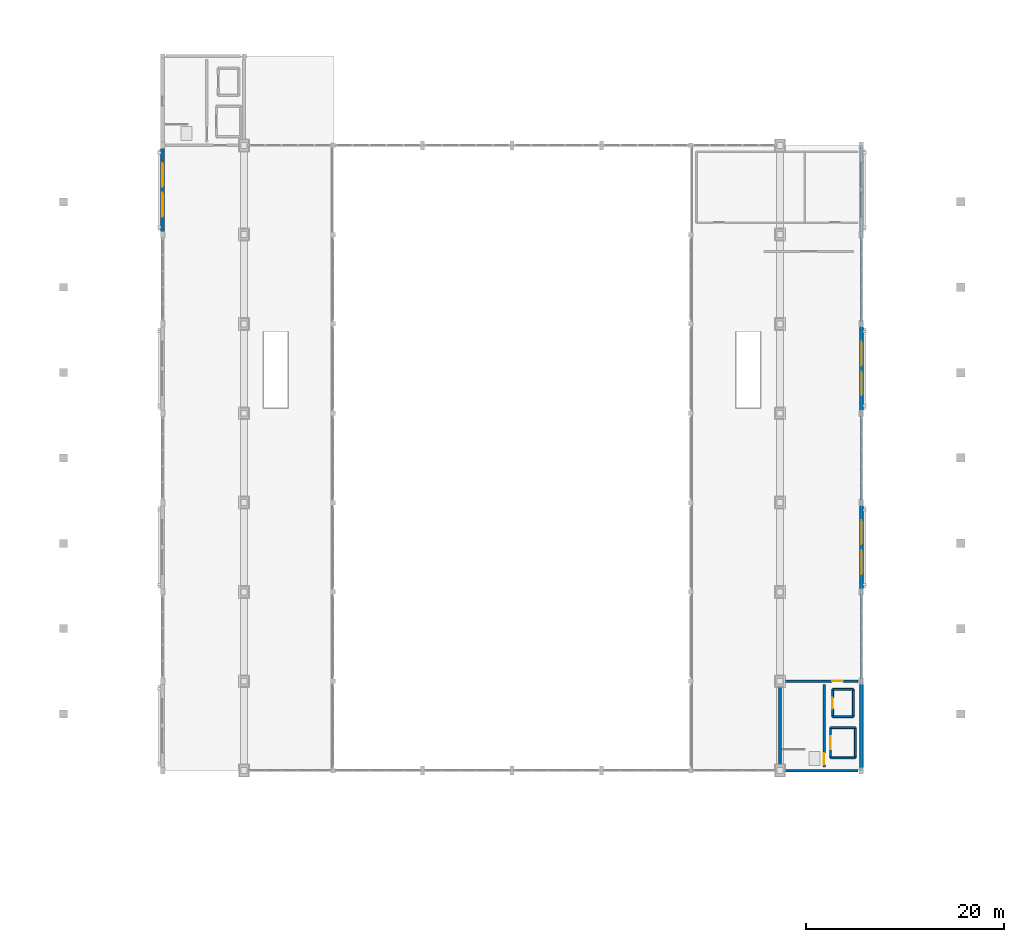
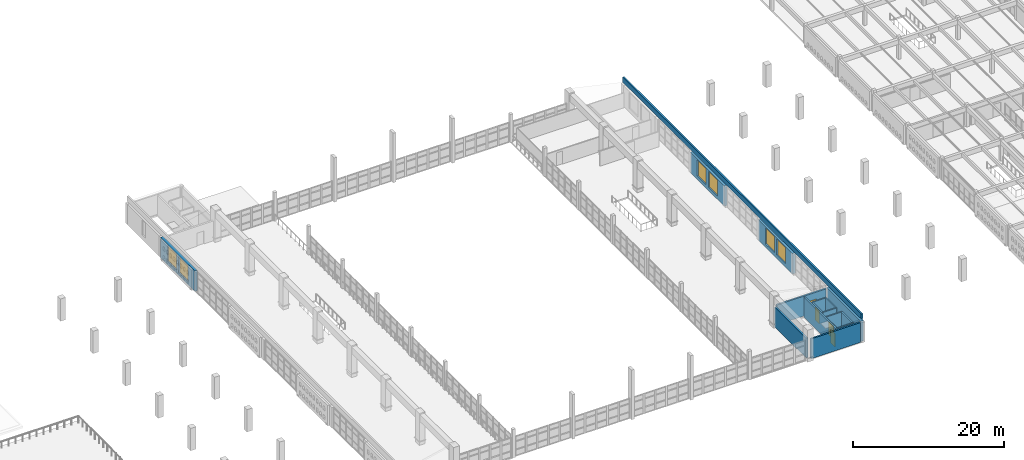
# One storey, part 66 of 80: 17 walls, 6 windows, 4 doors, 10 openings.
"""IFC4 building model written with IfcOpenShell, lengths in metres."""

from ifc_helpers import new_model, si_unit, direction, frame, frame_2d, origin, place, context, subcontext, project, spatial, rectangle, extrude, material, layer, layer_set, type_object, element, fill, save


model = new_model("IFC4")

# Units and contexts
model_context = context("Model", 3, precision=1e-05, world=origin(), true_north=direction((0.0, 1.0)))
body_context = subcontext(model_context, "Body", "Model", "MODEL_VIEW")
ifc_project = project(units=[si_unit("LENGTHUNIT", "METRE"), si_unit("AREAUNIT", "SQUARE_METRE"), si_unit("VOLUMEUNIT", "CUBIC_METRE"), si_unit("PLANEANGLEUNIT", "RADIAN"), si_unit("MASSUNIT", "GRAM", prefix="KILO")], contexts=[model_context])

# Site, building, storey
site_placement = place(None, origin())
site = spatial("IfcSite", under=ifc_project, at=site_placement, CompositionType="ELEMENT")
building_placement = place(site_placement, origin())
building = spatial("IfcBuilding", under=site, at=building_placement, Name="Ornek Quay Market", CompositionType="ELEMENT")
storey_placement = place(building_placement, frame((0.0, 0.0, 8.39990234375)))
storey = spatial("IfcBuildingStorey", under=building, at=storey_placement, Name="L02", CompositionType="ELEMENT", Elevation=8.39990234375)

# Wall, opening, door
ifc_material_1 = material(Name="Concrete C40/50", Category="concrete")
ifc_layer_1 = layer(ifc_material_1, 0.260009765625, Name="Concrete C40/50", Category="concrete")
ifc_layer_set_1 = layer_set([ifc_layer_1], Name="Concrete C40/50")
wall_type_1 = type_object("IfcWallType", Name="WL-CORE-260", PredefinedType="SHEAR", material=ifc_layer_set_1)
wall_1_placement = place(storey_placement, frame((121.449951171875, 29.35009765625, 0.0), z_axis=(0.0, 0.0, 1.0), x_axis=(0.0, 1.0, 0.0)))
wall_1 = element("IfcWall", 1, at=wall_1_placement, inside=storey, type_object=wall_type_1, Name="Interior wall W-CORE2-110", PredefinedType="SHEAR", context=body_context, shape_type="SweptSolid", body=[
    extrude(rectangle(XDim=8.2998046875, YDim=0.260009765625, at=frame_2d((4.14990234375, 0.0))), origin(), (0.0, 0.0, 1.0), 3.2001953125),
])
opening_1_placement = place(wall_1_placement, frame((0.25, 0.0, 0.0)))
opening_1 = element("IfcOpeningElement", 2, at=opening_1_placement, cuts=wall_1, Name="Opening FD-03-042", PredefinedType="OPENING", context=body_context, shape_type="SweptSolid", body=[
    extrude(rectangle(XDim=1.14990234375, YDim=2.14990234375, at=frame_2d((0.574951171875, 1.074951171875))), frame((0.0, 0.139892578125, 0.0), z_axis=(0.0, -1.0, 0.0), x_axis=(1.0, 0.0, 0.0)), (0.0, 0.0, 1.0), 0.280029296875),
])
ifc_material_2 = material(Name="Insulated fire-rated painted steel", Category="steel")
door_type_1 = type_object("IfcDoorType", Name="DR-FIRE-STAIR-1150x2150", OperationType="NOTDEFINED", PredefinedType="DOOR", material=ifc_material_2)
door_1_placement = place(opening_1_placement, origin())
door_1 = element("IfcDoor", 3, at=door_1_placement, inside=storey, type_object=door_type_1, Name="Interior door FD-03-042", OperationType="SINGLE_SWING_LEFT", OverallHeight=2.14990234375, OverallWidth=1.14990234375, PredefinedType="DOOR", context=body_context, shape_type="SweptSolid", body=[
    extrude(rectangle(XDim=1.14990234375, YDim=2.14990234375, at=frame_2d((0.574951171875, 1.074951171875))), frame((0.0, 0.02490234375, 0.0), z_axis=(0.0, -1.0, 0.0), x_axis=(1.0, 0.0, 0.0)), (0.0, 0.0, 1.0), 0.050048828125),
])
fill(opening_1, door_1)

# Walls
wall_2_placement = place(storey_placement, frame((117.0, 29.35009765625, 0.0), z_axis=(0.0, 0.0, 1.0), x_axis=(0.0, 1.0, 0.0)))
element("IfcWall", 4, at=wall_2_placement, inside=storey, type_object=wall_type_1, Name="Interior wall W-CORE2-111", PredefinedType="SHEAR", context=body_context, shape_type="SweptSolid", body=[
    extrude(rectangle(XDim=8.2998046875, YDim=0.260009765625, at=frame_2d((4.14990234375, 0.0))), origin(), (0.0, 0.0, 1.0), 3.2001953125),
])
wall_3_placement = place(storey_placement, frame((117.35009765625, 29.0, 0.0), z_axis=(0.0, 0.0, 1.0), x_axis=(1.0, 0.0, 0.0)))
element("IfcWall", 5, at=wall_3_placement, inside=storey, type_object=wall_type_1, Name="Interior wall W-CORE2-112", PredefinedType="SHEAR", context=body_context, shape_type="SweptSolid", body=[
    extrude(rectangle(XDim=7.5, YDim=0.260009765625, at=frame_2d((3.75, 0.0))), origin(), (0.0, 0.0, 1.0), 3.2001953125),
])

# Wall, opening, door
wall_4_placement = place(storey_placement, frame((117.35009765625, 38.0, 0.0), z_axis=(0.0, 0.0, 1.0), x_axis=(1.0, 0.0, 0.0)))
wall_4 = element("IfcWall", 6, at=wall_4_placement, inside=storey, type_object=wall_type_1, Name="Interior wall W-CORE2-113", PredefinedType="SHEAR", context=body_context, shape_type="SweptSolid", body=[
    extrude(rectangle(XDim=7.5, YDim=0.260009765625, at=frame_2d((3.75, 0.0))), origin(), (0.0, 0.0, 1.0), 3.2001953125),
])
opening_2_placement = place(wall_4_placement, frame((4.89990234375, 0.0, 0.0)))
opening_2 = element("IfcOpeningElement", 7, at=opening_2_placement, cuts=wall_4, Name="Opening FD-04-043", PredefinedType="OPENING", context=body_context, shape_type="SweptSolid", body=[
    extrude(rectangle(XDim=1.10009765625, YDim=2.10009765625, at=frame_2d((0.550048828125, 1.050048828125))), frame((0.0, 0.139892578125, 0.0), z_axis=(0.0, -1.0, 0.0), x_axis=(1.0, 0.0, 0.0)), (0.0, 0.0, 1.0), 0.280029296875),
])
door_type_2 = type_object("IfcDoorType", Name="DR-FIRE-LOBBY-1100x2100", OperationType="NOTDEFINED", PredefinedType="DOOR", material=ifc_material_2)
door_2_placement = place(opening_2_placement, origin())
door_2 = element("IfcDoor", 8, at=door_2_placement, inside=storey, type_object=door_type_2, Name="Interior door FD-04-043", OperationType="SINGLE_SWING_RIGHT", OverallHeight=2.10009765625, OverallWidth=1.10009765625, PredefinedType="DOOR", context=body_context, shape_type="SweptSolid", body=[
    extrude(rectangle(XDim=1.10009765625, YDim=2.10009765625, at=frame_2d((0.550048828125, 1.050048828125))), frame((0.0, 0.02490234375, 0.0), z_axis=(0.0, -1.0, 0.0), x_axis=(1.0, 0.0, 0.0)), (0.0, 0.0, 1.0), 0.050048828125),
])
fill(opening_2, door_2)

# Wall, openings, windows
ifc_material_3 = material(Name="Frost-resistant facing clay brick M200 F100", Category="masonry")
ifc_layer_2 = layer(ifc_material_3, 0.419921875, Name="Frost-resistant facing clay brick M200 F100", Category="masonry")
ifc_layer_set_2 = layer_set([ifc_layer_2], Name="Frost-resistant facing clay brick M200 F100")
wall_type_2 = type_object("IfcWallType", Name="WL-EXT-HALL-420", PredefinedType="STANDARD", material=ifc_layer_set_2)
wall_5_placement = place(storey_placement, frame((54.800048828125, 83.0, 0.0), z_axis=(0.0, 0.0, 1.0), x_axis=(0.0, 1.0, 0.0)))
wall_5 = element("IfcWall", 9, at=wall_5_placement, inside=storey, type_object=wall_type_2, Name="Exterior wall EW-144", PredefinedType="STANDARD", context=body_context, shape_type="SweptSolid", body=[
    extrude(rectangle(XDim=9.0, YDim=0.419921875, at=frame_2d((4.5, 0.0))), origin(), (0.0, 0.0, 1.0), 3.2900390625),
])
opening_3_placement = place(wall_5_placement, frame((1.800048828125, 0.0, 0.510009765625)))
opening_3 = element("IfcOpeningElement", 10, at=opening_3_placement, cuts=wall_5, Name="Opening W-01-118", PredefinedType="OPENING", context=body_context, shape_type="SweptSolid", body=[
    extrude(rectangle(XDim=2.39990234375, YDim=2.60009765625, at=frame_2d((1.199951171875, 1.300048828125))), frame((0.0, 0.219970703125, 0.0), z_axis=(0.0, -1.0, 0.0), x_axis=(1.0, 0.0, 0.0)), (0.0, 0.0, 1.0), 0.43994140625),
])
opening_4_placement = place(wall_5_placement, frame((4.800048828125, 0.0, 0.510009765625)))
opening_4 = element("IfcOpeningElement", 11, at=opening_4_placement, cuts=wall_5, Name="Opening W-01-119", PredefinedType="OPENING", context=body_context, shape_type="SweptSolid", body=[
    extrude(rectangle(XDim=2.39990234375, YDim=2.60009765625, at=frame_2d((1.199951171875, 1.300048828125))), frame((0.0, 0.219970703125, 0.0), z_axis=(0.0, -1.0, 0.0), x_axis=(1.0, 0.0, 0.0)), (0.0, 0.0, 1.0), 0.43994140625),
])
ifc_material_4 = material(Name="Thermally broken bronze aluminium and triple low-e glass", Category="aluminium")
window_type = type_object("IfcWindowType", Name="WN-HALL-2400x2600", PartitioningType="DOUBLE_PANEL_VERTICAL", PredefinedType="WINDOW", material=ifc_material_4)
window_1_placement = place(opening_3_placement, origin())
window_1 = element("IfcWindow", 12, at=window_1_placement, inside=storey, type_object=window_type, Name="Window W-01-118", OverallHeight=2.60009765625, OverallWidth=2.39990234375, PartitioningType="SINGLE_PANEL", PredefinedType="WINDOW", context=body_context, shape_type="SweptSolid", body=[
    extrude(rectangle(XDim=2.39990234375, YDim=2.60009765625, at=frame_2d((1.199951171875, 1.300048828125))), frame((0.0, 0.030029296875, 0.0), z_axis=(0.0, -1.0, 0.0), x_axis=(1.0, 0.0, 0.0)), (0.0, 0.0, 1.0), 0.06005859375),
])
fill(opening_3, window_1)
window_2_placement = place(opening_4_placement, origin())
window_2 = element("IfcWindow", 13, at=window_2_placement, inside=storey, type_object=window_type, Name="Window W-01-119", OverallHeight=2.60009765625, OverallWidth=2.39990234375, PartitioningType="SINGLE_PANEL", PredefinedType="WINDOW", context=body_context, shape_type="SweptSolid", body=[
    extrude(rectangle(XDim=2.39990234375, YDim=2.60009765625, at=frame_2d((1.199951171875, 1.300048828125))), frame((0.0, 0.030029296875, 0.0), z_axis=(0.0, -1.0, 0.0), x_axis=(1.0, 0.0, 0.0)), (0.0, 0.0, 1.0), 0.06005859375),
])
fill(opening_4, window_2)

# Wall
wall_6_placement = place(storey_placement, frame((125.199951171875, 29.0, 0.0), z_axis=(0.0, 0.0, 1.0), x_axis=(0.0, 1.0, 0.0)))
element("IfcWall", 14, at=wall_6_placement, inside=storey, type_object=wall_type_2, Name="Exterior wall EW-145", PredefinedType="STANDARD", context=body_context, shape_type="SweptSolid", body=[
    extrude(rectangle(XDim=9.0, YDim=0.419921875, at=frame_2d((4.5, 0.0))), origin(), (0.0, 0.0, 1.0), 3.2900390625),
])

# Wall, openings, windows
wall_7_placement = place(storey_placement, frame((125.199951171875, 47.0, 0.0), z_axis=(0.0, 0.0, 1.0), x_axis=(0.0, 1.0, 0.0)))
wall_7 = element("IfcWall", 15, at=wall_7_placement, inside=storey, type_object=wall_type_2, Name="Exterior wall EW-146", PredefinedType="STANDARD", context=body_context, shape_type="SweptSolid", body=[
    extrude(rectangle(XDim=9.0, YDim=0.419921875, at=frame_2d((4.5, 0.0))), origin(), (0.0, 0.0, 1.0), 3.2900390625),
])
opening_5_placement = place(wall_7_placement, frame((1.800048828125, 0.0, 0.510009765625)))
opening_5 = element("IfcOpeningElement", 16, at=opening_5_placement, cuts=wall_7, Name="Opening W-01-120", PredefinedType="OPENING", context=body_context, shape_type="SweptSolid", body=[
    extrude(rectangle(XDim=2.39990234375, YDim=2.60009765625, at=frame_2d((1.199951171875, 1.300048828125))), frame((0.0, 0.219970703125, 0.0), z_axis=(0.0, -1.0, 0.0), x_axis=(1.0, 0.0, 0.0)), (0.0, 0.0, 1.0), 0.43994140625),
])
opening_6_placement = place(wall_7_placement, frame((4.800048828125, 0.0, 0.510009765625)))
opening_6 = element("IfcOpeningElement", 17, at=opening_6_placement, cuts=wall_7, Name="Opening W-01-121", PredefinedType="OPENING", context=body_context, shape_type="SweptSolid", body=[
    extrude(rectangle(XDim=2.39990234375, YDim=2.60009765625, at=frame_2d((1.199951171875, 1.300048828125))), frame((0.0, 0.219970703125, 0.0), z_axis=(0.0, -1.0, 0.0), x_axis=(1.0, 0.0, 0.0)), (0.0, 0.0, 1.0), 0.43994140625),
])
window_3_placement = place(opening_5_placement, origin())
window_3 = element("IfcWindow", 18, at=window_3_placement, inside=storey, type_object=window_type, Name="Window W-01-120", OverallHeight=2.60009765625, OverallWidth=2.39990234375, PartitioningType="SINGLE_PANEL", PredefinedType="WINDOW", context=body_context, shape_type="SweptSolid", body=[
    extrude(rectangle(XDim=2.39990234375, YDim=2.60009765625, at=frame_2d((1.199951171875, 1.300048828125))), frame((0.0, 0.030029296875, 0.0), z_axis=(0.0, -1.0, 0.0), x_axis=(1.0, 0.0, 0.0)), (0.0, 0.0, 1.0), 0.06005859375),
])
fill(opening_5, window_3)
window_4_placement = place(opening_6_placement, origin())
window_4 = element("IfcWindow", 19, at=window_4_placement, inside=storey, type_object=window_type, Name="Window W-01-121", OverallHeight=2.60009765625, OverallWidth=2.39990234375, PartitioningType="SINGLE_PANEL", PredefinedType="WINDOW", context=body_context, shape_type="SweptSolid", body=[
    extrude(rectangle(XDim=2.39990234375, YDim=2.60009765625, at=frame_2d((1.199951171875, 1.300048828125))), frame((0.0, 0.030029296875, 0.0), z_axis=(0.0, -1.0, 0.0), x_axis=(1.0, 0.0, 0.0)), (0.0, 0.0, 1.0), 0.06005859375),
])
fill(opening_6, window_4)

wall_8_placement = place(storey_placement, frame((125.199951171875, 65.0, 0.0), z_axis=(0.0, 0.0, 1.0), x_axis=(0.0, 1.0, 0.0)))
wall_8 = element("IfcWall", 20, at=wall_8_placement, inside=storey, type_object=wall_type_2, Name="Exterior wall EW-147", PredefinedType="STANDARD", context=body_context, shape_type="SweptSolid", body=[
    extrude(rectangle(XDim=9.0, YDim=0.419921875, at=frame_2d((4.5, 0.0))), origin(), (0.0, 0.0, 1.0), 3.2900390625),
])
opening_7_placement = place(wall_8_placement, frame((1.800048828125, 0.0, 0.510009765625)))
opening_7 = element("IfcOpeningElement", 21, at=opening_7_placement, cuts=wall_8, Name="Opening W-01-122", PredefinedType="OPENING", context=body_context, shape_type="SweptSolid", body=[
    extrude(rectangle(XDim=2.39990234375, YDim=2.60009765625, at=frame_2d((1.199951171875, 1.300048828125))), frame((0.0, 0.219970703125, 0.0), z_axis=(0.0, -1.0, 0.0), x_axis=(1.0, 0.0, 0.0)), (0.0, 0.0, 1.0), 0.43994140625),
])
opening_8_placement = place(wall_8_placement, frame((4.800048828125, 0.0, 0.510009765625)))
opening_8 = element("IfcOpeningElement", 22, at=opening_8_placement, cuts=wall_8, Name="Opening W-01-123", PredefinedType="OPENING", context=body_context, shape_type="SweptSolid", body=[
    extrude(rectangle(XDim=2.39990234375, YDim=2.60009765625, at=frame_2d((1.199951171875, 1.300048828125))), frame((0.0, 0.219970703125, 0.0), z_axis=(0.0, -1.0, 0.0), x_axis=(1.0, 0.0, 0.0)), (0.0, 0.0, 1.0), 0.43994140625),
])
window_5_placement = place(opening_7_placement, origin())
window_5 = element("IfcWindow", 23, at=window_5_placement, inside=storey, type_object=window_type, Name="Window W-01-122", OverallHeight=2.60009765625, OverallWidth=2.39990234375, PartitioningType="SINGLE_PANEL", PredefinedType="WINDOW", context=body_context, shape_type="SweptSolid", body=[
    extrude(rectangle(XDim=2.39990234375, YDim=2.60009765625, at=frame_2d((1.199951171875, 1.300048828125))), frame((0.0, 0.030029296875, 0.0), z_axis=(0.0, -1.0, 0.0), x_axis=(1.0, 0.0, 0.0)), (0.0, 0.0, 1.0), 0.06005859375),
])
fill(opening_7, window_5)
window_6_placement = place(opening_8_placement, origin())
window_6 = element("IfcWindow", 24, at=window_6_placement, inside=storey, type_object=window_type, Name="Window W-01-123", OverallHeight=2.60009765625, OverallWidth=2.39990234375, PartitioningType="SINGLE_PANEL", PredefinedType="WINDOW", context=body_context, shape_type="SweptSolid", body=[
    extrude(rectangle(XDim=2.39990234375, YDim=2.60009765625, at=frame_2d((1.199951171875, 1.300048828125))), frame((0.0, 0.030029296875, 0.0), z_axis=(0.0, -1.0, 0.0), x_axis=(1.0, 0.0, 0.0)), (0.0, 0.0, 1.0), 0.06005859375),
])
fill(opening_8, window_6)

# Wall
ifc_layer_3 = layer(ifc_material_3, 0.25, Name="Frost-resistant facing clay brick M200 F100", Category="masonry")
ifc_layer_set_3 = layer_set([ifc_layer_3], Name="Frost-resistant facing clay brick M200 F100")
wall_type_3 = type_object("IfcWallType", Name="WL-PAR-250", PredefinedType="PARAPET", material=ifc_layer_set_3)
wall_9_placement = place(storey_placement, frame((125.199951171875, 29.0, 3.60009765625), z_axis=(0.0, 0.0, 1.0), x_axis=(0.0, 1.0, 0.0)))
element("IfcWall", 25, at=wall_9_placement, inside=storey, type_object=wall_type_3, Name="Roof parapet PR-05", PredefinedType="PARAPET", context=body_context, shape_type="SweptSolid", body=[
    extrude(rectangle(XDim=63.0, YDim=0.25, at=frame_2d((31.5, 0.0))), origin(), (0.0, 0.0, 1.0), 0.85009765625),
])

# Wall, opening, door
ifc_material_5 = material(Name="Concrete C35/45", Category="concrete")
ifc_layer_4 = layer(ifc_material_5, 0.199951171875, Name="Concrete C35/45", Category="concrete")
ifc_layer_set_4 = layer_set([ifc_layer_4], Name="Concrete C35/45")
wall_type_4 = type_object("IfcWallType", Name="WL-SHAFT-200", PredefinedType="SOLIDWALL", material=ifc_layer_set_4)
wall_10_placement = place(storey_placement, frame((122.110107421875, 30.280029296875, 0.0), z_axis=(0.0, 0.0, 1.0), x_axis=(0.0, 1.0, 0.0)))
wall_10 = element("IfcWall", 26, at=wall_10_placement, inside=storey, type_object=wall_type_4, Name="Interior wall W-CORE3-114", PredefinedType="SOLIDWALL", context=body_context, shape_type="SweptSolid", body=[
    extrude(rectangle(XDim=3.0400390625, YDim=0.199951171875, at=frame_2d((1.52001953125, 0.0))), origin(), (0.0, 0.0, 1.0), 2.400146484375),
])
opening_9_placement = place(wall_10_placement, frame((0.8701171875, 0.0, 0.0)))
opening_9 = element("IfcOpeningElement", 27, at=opening_9_placement, cuts=wall_10, Name="Opening LD-02-044", PredefinedType="OPENING", context=body_context, shape_type="SweptSolid", body=[
    extrude(rectangle(XDim=1.300048828125, YDim=2.199951171875, at=frame_2d((0.64990234375, 1.10009765625))), frame((0.0, 0.10986328125, 0.0), z_axis=(0.0, -1.0, 0.0), x_axis=(1.0, 0.0, 0.0)), (0.0, 0.0, 1.0), 0.219970703125),
])
ifc_material_6 = material(Name="Brushed stainless steel goods lift door", Category="steel")
door_type_3 = type_object("IfcDoorType", Name="DR-LIFT-1300x2200", OperationType="DOUBLE_DOOR_SLIDING", PredefinedType="DOOR", material=ifc_material_6)
door_3_placement = place(opening_9_placement, origin())
door_3 = element("IfcDoor", 28, at=door_3_placement, inside=storey, type_object=door_type_3, Name="Interior door LD-02-044", OperationType="DOUBLE_DOOR_SLIDING", OverallHeight=2.199951171875, OverallWidth=1.300048828125, PredefinedType="DOOR", context=body_context, shape_type="SweptSolid", body=[
    extrude(rectangle(XDim=1.300048828125, YDim=2.199951171875, at=frame_2d((0.64990234375, 1.10009765625))), frame((0.0, 0.02490234375, 0.0), z_axis=(0.0, -1.0, 0.0), x_axis=(1.0, 0.0, 0.0)), (0.0, 0.0, 1.0), 0.050048828125),
])
fill(opening_9, door_3)

# Walls
for number, where, z_axis, x_axis, name in (
    (29, (122.110107421875, 30.280029296875, 0.0), (0.0, 0.0, 1.0), (1.0, 0.0, 0.0), "Interior wall W-CORE3-115"),
    (30, (122.110107421875, 33.320068359375, 0.0), (0.0, 0.0, 1.0), (1.0, 0.0, 0.0), "Interior wall W-CORE3-116"),
):
    element("IfcWall", number, at=place(storey_placement, frame(where, z_axis=z_axis, x_axis=x_axis)), inside=storey, type_object=wall_type_4, Name=name, PredefinedType="SOLIDWALL", context=body_context, shape_type="SweptSolid", body=[
        extrude(rectangle(XDim=2.47998046875, YDim=0.199951171875, at=frame_2d((1.239990234375, 0.0))), origin(), (0.0, 0.0, 1.0), 2.400146484375),
    ])
wall_11_placement = place(storey_placement, frame((124.590087890625, 30.280029296875, 0.0), z_axis=(0.0, 0.0, 1.0), x_axis=(0.0, 1.0, 0.0)))
element("IfcWall", 31, at=wall_11_placement, inside=storey, type_object=wall_type_4, Name="Interior wall W-CORE3-117", PredefinedType="SOLIDWALL", context=body_context, shape_type="SweptSolid", body=[
    extrude(rectangle(XDim=3.0400390625, YDim=0.199951171875, at=frame_2d((1.52001953125, 0.0))), origin(), (0.0, 0.0, 1.0), 2.400146484375),
])

# Wall, opening, door
wall_12_placement = place(storey_placement, frame((122.31005859375, 34.429931640625, 0.0), z_axis=(0.0, 0.0, 1.0), x_axis=(0.0, 1.0, 0.0)))
wall_12 = element("IfcWall", 32, at=wall_12_placement, inside=storey, type_object=wall_type_4, Name="Interior wall W-CORE3-118", PredefinedType="SOLIDWALL", context=body_context, shape_type="SweptSolid", body=[
    extrude(rectangle(XDim=2.739990234375, YDim=0.199951171875, at=frame_2d((1.3701171875, 0.0))), origin(), (0.0, 0.0, 1.0), 2.400146484375),
])
opening_10_placement = place(wall_12_placement, frame((0.820068359375, 0.0, 0.0)))
opening_10 = element("IfcOpeningElement", 33, at=opening_10_placement, cuts=wall_12, Name="Opening LD-01-045", PredefinedType="OPENING", context=body_context, shape_type="SweptSolid", body=[
    extrude(rectangle(XDim=1.10009765625, YDim=2.10009765625, at=frame_2d((0.550048828125, 1.050048828125))), frame((0.0, 0.10986328125, 0.0), z_axis=(0.0, -1.0, 0.0), x_axis=(1.0, 0.0, 0.0)), (0.0, 0.0, 1.0), 0.219970703125),
])
ifc_material_7 = material(Name="Brushed stainless steel landing door", Category="steel")
door_type_4 = type_object("IfcDoorType", Name="DR-LIFT-1100x2100", OperationType="SLIDING_TO_LEFT", PredefinedType="DOOR", material=ifc_material_7)
door_4_placement = place(opening_10_placement, origin())
door_4 = element("IfcDoor", 34, at=door_4_placement, inside=storey, type_object=door_type_4, Name="Interior door LD-01-045", OperationType="SLIDING_TO_LEFT", OverallHeight=2.10009765625, OverallWidth=1.10009765625, PredefinedType="DOOR", context=body_context, shape_type="SweptSolid", body=[
    extrude(rectangle(XDim=1.10009765625, YDim=2.10009765625, at=frame_2d((0.550048828125, 1.050048828125))), frame((0.0, 0.02490234375, 0.0), z_axis=(0.0, -1.0, 0.0), x_axis=(1.0, 0.0, 0.0)), (0.0, 0.0, 1.0), 0.050048828125),
])
fill(opening_10, door_4)

# Walls
for number, where, z_axis, x_axis, name in (
    (35, (122.31005859375, 34.429931640625, 0.0), (0.0, 0.0, 1.0), (1.0, 0.0, 0.0), "Interior wall W-CORE3-119"),
    (36, (122.31005859375, 37.169921875, 0.0), (0.0, 0.0, 1.0), (1.0, 0.0, 0.0), "Interior wall W-CORE3-120"),
):
    element("IfcWall", number, at=place(storey_placement, frame(where, z_axis=z_axis, x_axis=x_axis)), inside=storey, type_object=wall_type_4, Name=name, PredefinedType="SOLIDWALL", context=body_context, shape_type="SweptSolid", body=[
        extrude(rectangle(XDim=2.079833984375, YDim=0.199951171875, at=frame_2d((1.0400390625, 0.0))), origin(), (0.0, 0.0, 1.0), 2.400146484375),
    ])
wall_13_placement = place(storey_placement, frame((124.389892578125, 34.429931640625, 0.0), z_axis=(0.0, 0.0, 1.0), x_axis=(0.0, 1.0, 0.0)))
element("IfcWall", 37, at=wall_13_placement, inside=storey, type_object=wall_type_4, Name="Interior wall W-CORE3-121", PredefinedType="SOLIDWALL", context=body_context, shape_type="SweptSolid", body=[
    extrude(rectangle(XDim=2.739990234375, YDim=0.199951171875, at=frame_2d((1.3701171875, 0.0))), origin(), (0.0, 0.0, 1.0), 2.400146484375),
])

save(model, "model.ifc")
